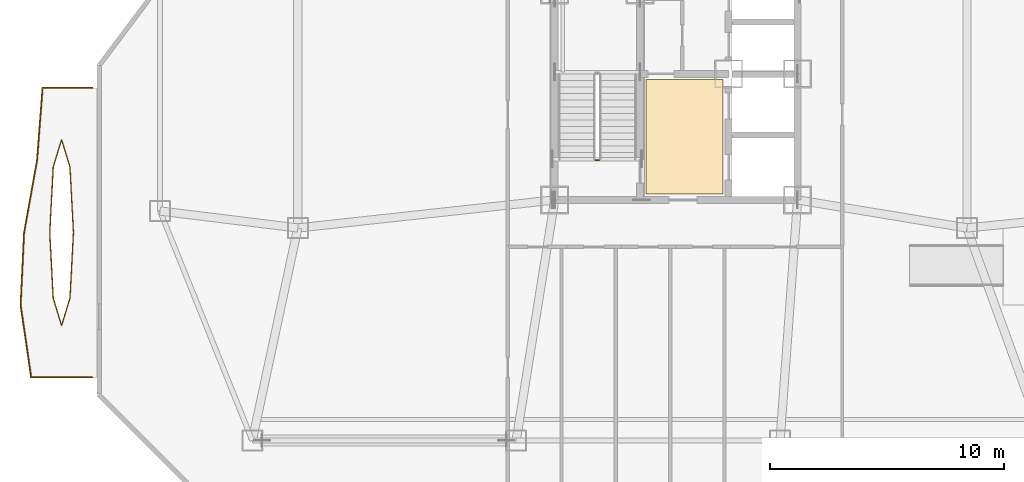
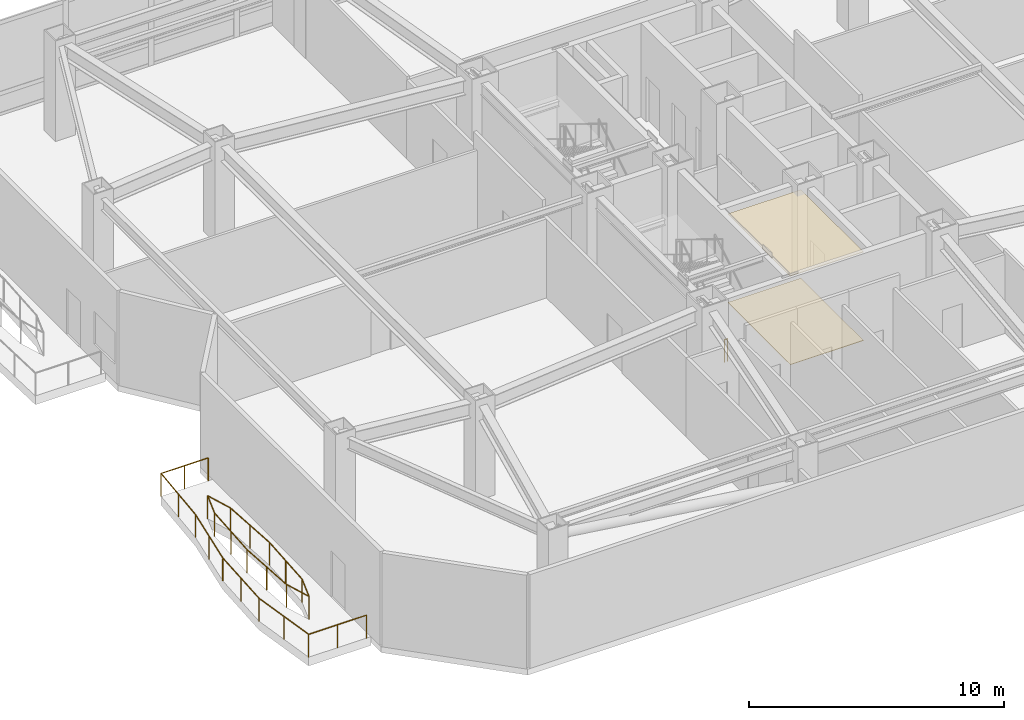
# One storey, part 13 of 16: 5 railings, 2 coverings.
"""IFC4 building model written with IfcOpenShell, lengths in metres."""

from ifc_helpers import new_model, si_unit, direction, frame, origin, origin_2d, place, context, subcontext, project, spatial, polyline, circle, outline, extrude, material, layer, layer_set, type_object, element, save


model = new_model("IFC4")

# Units and contexts
model_context = context("Model", 3, precision=1e-05, world=origin(), true_north=direction((0.0, 1.0)))
body_context = subcontext(model_context, "Body", "Model", "MODEL_VIEW")
ifc_project = project(units=[si_unit("LENGTHUNIT", "METRE"), si_unit("AREAUNIT", "SQUARE_METRE"), si_unit("VOLUMEUNIT", "CUBIC_METRE"), si_unit("PLANEANGLEUNIT", "RADIAN"), si_unit("MASSUNIT", "GRAM", prefix="KILO")], contexts=[model_context])

# Site, building, storey
site_placement = place(None, origin())
site = spatial("IfcSite", under=ifc_project, at=site_placement, CompositionType="ELEMENT")
building_placement = place(site_placement, origin())
building = spatial("IfcBuilding", under=site, at=building_placement, Name="Khamvora Tower", CompositionType="ELEMENT")
storey_placement = place(building_placement, frame((0.0, 0.0, 145.699951171875)))
storey = spatial("IfcBuildingStorey", under=building, at=storey_placement, Name="L37", CompositionType="ELEMENT", Elevation=145.699951171875)

# Coverings
ifc_material_1 = material(Name="Perforated Mineral-Fibre Acoustic Ceiling Tile", Category="gypsum")
ifc_layer_1 = layer(ifc_material_1, 0.02490234375)
ifc_layer_set_1 = layer_set([ifc_layer_1], Name="Perforated Mineral-Fibre Acoustic Ceiling Tile")
covering_type_1 = type_object("IfcCoveringType", Name="COV-CEIL-600", PredefinedType="CEILING", material=ifc_layer_set_1)
covering_1_placement = place(storey_placement, frame((0.0, 0.0, 4.22998046875)))
element("IfcCovering", 1, at=covering_1_placement, inside=storey, type_object=covering_type_1, Name="L37 core lobby suspended acoustic ceiling", PredefinedType="CEILING", context=body_context, shape_type="SweptSolid", body=[
    extrude(outline(polyline([(32.89990234375, 19.25), (36.199951171875, 19.25), (36.199951171875, 24.14990234375), (32.89990234375, 24.14990234375), (32.89990234375, 19.25)])), origin(), (0.0, 0.0, 1.0), 0.025146484375),
])
ifc_material_2 = material(Name="Honed Terrazzo Stone Tile", Category="masonry")
ifc_layer_2 = layer(ifc_material_2, 0.02001953125)
ifc_layer_set_2 = layer_set([ifc_layer_2], Name="Honed Terrazzo Stone Tile")
covering_type_2 = type_object("IfcCoveringType", Name="COV-FLOR-20", PredefinedType="FLOORING", material=ifc_layer_set_2)
covering_2_placement = place(storey_placement, origin())
element("IfcCovering", 2, at=covering_2_placement, inside=storey, type_object=covering_type_2, Name="L37 lift lobby terrazzo flooring", PredefinedType="FLOORING", context=body_context, shape_type="SweptSolid", body=[
    extrude(outline(polyline([(32.89990234375, 19.25), (36.199951171875, 19.25), (36.199951171875, 24.14990234375), (32.89990234375, 24.14990234375), (32.89990234375, 19.25)])), origin(), (0.0, 0.0, 1.0), 0.02001953125),
])

# Railings
ifc_material_3 = material(Name="Stainless Steel 316 and Laminated Glass", Category="steel")
railing_type_1 = type_object("IfcRailingType", Name="RAL-GAL-1120", PredefinedType="GUARDRAIL", material=ifc_material_3)
railing_1_placement = place(storey_placement, frame((9.199951171875, 11.39990234375, 0.0)))
element("IfcRailing", 3, at=railing_1_placement, inside=storey, type_object=railing_type_1, Name="L37 lens gallery south perimeter guardrail WL1", PredefinedType="GUARDRAIL", context=body_context, shape_type="SweptSolid", body=[
    extrude(circle(Radius=0.02392578125, at=origin_2d()), frame((0.0, 0.0, 1.09619140625), z_axis=(-1.0, 0.0, 0.0), x_axis=(0.0, -1.0, 0.0)), (0.0, 0.0, 1.0), 2.619873046875),
    extrude(circle(Radius=0.02392578125, at=origin_2d()), frame((-2.619873046875, 0.0, 1.09619140625), z_axis=(-0.144322789982, 0.989530662633, 0.0), x_axis=(-0.989530662633, -0.144322789982, 0.0)), (0.0, 0.0, 1.0), 3.1328125),
    extrude(circle(Radius=0.02392578125, at=origin_2d()), frame((-3.072021484375, 3.10009765625, 1.09619140625), z_axis=(0.0476697959, 0.998863149064, 0.0), x_axis=(-0.998863149064, 0.0476697959, 0.0)), (0.0, 0.0, 1.0), 3.103515625),
    extrude(circle(Radius=0.02099609375, at=origin_2d()), origin(), (0.0, 0.0, 1.0), 1.072021484375),
    extrude(circle(Radius=0.02099609375, at=origin_2d()), frame((-1.31005859375, 0.0, 0.0)), (0.0, 0.0, 1.0), 1.072021484375),
    extrude(circle(Radius=0.02099609375, at=origin_2d()), frame((-2.619873046875, 0.0, 0.0)), (0.0, 0.0, 1.0), 1.072021484375),
    extrude(circle(Radius=0.02099609375, at=origin_2d()), frame((-2.845947265625, 1.550048828125, 0.0)), (0.0, 0.0, 1.0), 1.072021484375),
    extrude(circle(Radius=0.02099609375, at=origin_2d()), frame((-3.072021484375, 3.10009765625, 0.0)), (0.0, 0.0, 1.0), 1.072021484375),
    extrude(circle(Radius=0.02099609375, at=origin_2d()), frame((-2.998046875, 4.650146484375, 0.0)), (0.0, 0.0, 1.0), 1.072021484375),
    extrude(circle(Radius=0.02099609375, at=origin_2d()), frame((-2.924072265625, 6.2001953125, 0.0)), (0.0, 0.0, 1.0), 1.072021484375),
])
railing_2_placement = place(storey_placement, frame((6.27587890625, 17.60009765625, 0.0)))
element("IfcRailing", 4, at=railing_2_placement, inside=storey, type_object=railing_type_1, Name="L37 lens gallery north perimeter guardrail WL1", PredefinedType="GUARDRAIL", context=body_context, shape_type="SweptSolid", body=[
    extrude(circle(Radius=0.02392578125, at=origin_2d()), frame((0.0, 0.0, 1.09619140625), z_axis=(0.176592812148, 0.984283992909, 0.0), x_axis=(-0.984283992909, 0.176592812148, 0.0)), (0.0, 0.0, 1.0), 3.1494140625),
    extrude(circle(Radius=0.02392578125, at=origin_2d()), frame((0.55615234375, 3.099853515625, 1.09619140625), z_axis=(0.075933858286, 0.997112856785, 0.0), x_axis=(-0.997112856785, 0.075933858286, 0.0)), (0.0, 0.0, 1.0), 3.109130859375),
    extrude(circle(Radius=0.02392578125, at=origin_2d()), frame((0.792236328125, 6.199951171875, 1.09619140625), z_axis=(1.0, 0.0, 0.0), x_axis=(0.0, 1.0, 0.0)), (0.0, 0.0, 1.0), 2.1318359375),
    extrude(circle(Radius=0.02099609375, at=origin_2d()), origin(), (0.0, 0.0, 1.0), 1.072021484375),
    extrude(circle(Radius=0.02099609375, at=origin_2d()), frame((0.278076171875, 1.5498046875, 0.0)), (0.0, 0.0, 1.0), 1.072021484375),
    extrude(circle(Radius=0.02099609375, at=origin_2d()), frame((0.55615234375, 3.099853515625, 0.0)), (0.0, 0.0, 1.0), 1.072021484375),
    extrude(circle(Radius=0.02099609375, at=origin_2d()), frame((0.67431640625, 4.64990234375, 0.0)), (0.0, 0.0, 1.0), 1.072021484375),
    extrude(circle(Radius=0.02099609375, at=origin_2d()), frame((0.792236328125, 6.199951171875, 0.0)), (0.0, 0.0, 1.0), 1.072021484375),
    extrude(circle(Radius=0.02099609375, at=origin_2d()), frame((1.858154296875, 6.199951171875, 0.0)), (0.0, 0.0, 1.0), 1.072021484375),
    extrude(circle(Radius=0.02099609375, at=origin_2d()), frame((2.924072265625, 6.199951171875, 0.0)), (0.0, 0.0, 1.0), 1.072021484375),
])
railing_3_placement = place(storey_placement, frame((8.388916015625, 17.60009765625, 0.0)))
element("IfcRailing", 5, at=railing_3_placement, inside=storey, type_object=railing_type_1, Name="L37 lens gallery void guardrail WL1A", PredefinedType="GUARDRAIL", context=body_context, shape_type="SweptSolid", body=[
    extrude(circle(Radius=0.02392578125, at=origin_2d()), frame((0.0, 0.0, 1.09619140625), z_axis=(-0.052654602562, 0.998612784231, 0.0), x_axis=(-0.998612784231, -0.052654602562, 0.0)), (0.0, 0.0, 1.0), 2.809814453125),
    extrude(circle(Radius=0.02392578125, at=origin_2d()), frame((-0.14794921875, 2.805908203125, 1.09619140625), z_axis=(-0.292871691974, 0.956151751575, 0.0), x_axis=(-0.956151751575, -0.292871691974, 0.0)), (0.0, 0.0, 1.0), 1.21533203125),
    extrude(circle(Radius=0.02392578125, at=origin_2d()), frame((-0.50390625, 3.968017578125, 1.09619140625), z_axis=(-0.292871691974, -0.956151751575, 0.0), x_axis=(0.956151751575, -0.292871691974, 0.0)), (0.0, 0.0, 1.0), 1.21533203125),
    extrude(circle(Radius=0.02392578125, at=origin_2d()), frame((-0.85986328125, 2.805908203125, 1.09619140625), z_axis=(-0.052654602562, -0.998612784231, 0.0), x_axis=(0.998612784231, -0.052654602562, 0.0)), (0.0, 0.0, 1.0), 2.809814453125),
    extrude(circle(Radius=0.02099609375, at=origin_2d()), origin(), (0.0, 0.0, 1.0), 1.072021484375),
    extrude(circle(Radius=0.02099609375, at=origin_2d()), frame((-0.073974609375, 1.40283203125, 0.0)), (0.0, 0.0, 1.0), 1.072021484375),
    extrude(circle(Radius=0.02099609375, at=origin_2d()), frame((-0.14794921875, 2.805908203125, 0.0)), (0.0, 0.0, 1.0), 1.072021484375),
    extrude(circle(Radius=0.02099609375, at=origin_2d()), frame((-0.50390625, 3.968017578125, 0.0)), (0.0, 0.0, 1.0), 1.072021484375),
    extrude(circle(Radius=0.02099609375, at=origin_2d()), frame((-0.85986328125, 2.805908203125, 0.0)), (0.0, 0.0, 1.0), 1.072021484375),
    extrude(circle(Radius=0.02099609375, at=origin_2d()), frame((-0.933837890625, 1.40283203125, 0.0)), (0.0, 0.0, 1.0), 1.072021484375),
    extrude(circle(Radius=0.02099609375, at=origin_2d()), frame((-1.0078125, 0.0, 0.0)), (0.0, 0.0, 1.0), 1.072021484375),
])
railing_4_placement = place(storey_placement, frame((7.381103515625, 17.60009765625, 0.0)))
element("IfcRailing", 6, at=railing_4_placement, inside=storey, type_object=railing_type_1, Name="L37 lens gallery void guardrail WL1B", PredefinedType="GUARDRAIL", context=body_context, shape_type="SweptSolid", body=[
    extrude(circle(Radius=0.02392578125, at=origin_2d()), frame((0.0, 0.0, 1.09619140625), z_axis=(0.05265003421, -0.998613025099, 0.0), x_axis=(0.998613025099, 0.05265003421, 0.0)), (0.0, 0.0, 1.0), 2.81005859375),
    extrude(circle(Radius=0.02392578125, at=origin_2d()), frame((0.14794921875, -2.80615234375, 1.09619140625), z_axis=(0.292927952476, -0.956134517031, 0.0), x_axis=(0.956134517031, 0.292927952476, 0.0)), (0.0, 0.0, 1.0), 1.215087890625),
    extrude(circle(Radius=0.02392578125, at=origin_2d()), frame((0.50390625, -3.968017578125, 1.09619140625), z_axis=(0.292927952476, 0.956134517031, 0.0), x_axis=(-0.956134517031, 0.292927952476, 0.0)), (0.0, 0.0, 1.0), 1.215087890625),
    extrude(circle(Radius=0.02392578125, at=origin_2d()), frame((0.85986328125, -2.80615234375, 1.09619140625), z_axis=(0.05265003421, 0.998613025099, 0.0), x_axis=(-0.998613025099, 0.05265003421, 0.0)), (0.0, 0.0, 1.0), 2.81005859375),
    extrude(circle(Radius=0.02099609375, at=origin_2d()), origin(), (0.0, 0.0, 1.0), 1.072021484375),
    extrude(circle(Radius=0.02099609375, at=origin_2d()), frame((0.073974609375, -1.403076171875, 0.0)), (0.0, 0.0, 1.0), 1.072021484375),
    extrude(circle(Radius=0.02099609375, at=origin_2d()), frame((0.14794921875, -2.80615234375, 0.0)), (0.0, 0.0, 1.0), 1.072021484375),
    extrude(circle(Radius=0.02099609375, at=origin_2d()), frame((0.50390625, -3.968017578125, 0.0)), (0.0, 0.0, 1.0), 1.072021484375),
    extrude(circle(Radius=0.02099609375, at=origin_2d()), frame((0.85986328125, -2.80615234375, 0.0)), (0.0, 0.0, 1.0), 1.072021484375),
    extrude(circle(Radius=0.02099609375, at=origin_2d()), frame((0.933837890625, -1.403076171875, 0.0)), (0.0, 0.0, 1.0), 1.072021484375),
    extrude(circle(Radius=0.02099609375, at=origin_2d()), frame((1.0078125, 0.0, 0.0)), (0.0, 0.0, 1.0), 1.072021484375),
])
ifc_material_4 = material(Name="Stainless Steel 316", Category="steel")
railing_type_2 = type_object("IfcRailingType", Name="RAL-STG-1100", PredefinedType="GUARDRAIL", material=ifc_material_4)
railing_5_placement = place(storey_placement, frame((30.89990234375, 20.699951171875, 0.0)))
element("IfcRailing", 7, at=railing_5_placement, inside=storey, type_object=railing_type_2, Name="L37 ST-01 stair guard 4", PredefinedType="GUARDRAIL", context=body_context, shape_type="SweptSolid", body=[
    extrude(circle(Radius=0.02392578125, at=origin_2d()), frame((0.0, 0.0, 1.076171875), z_axis=(-1.0, 0.0, 0.0), x_axis=(0.0, -1.0, 0.0)), (0.0, 0.0, 1.0), 0.14990234375),
    extrude(circle(Radius=0.02099609375, at=origin_2d()), origin(), (0.0, 0.0, 1.0), 1.052001953125),
    extrude(circle(Radius=0.02099609375, at=origin_2d()), frame((-0.14990234375, 0.0, 0.0)), (0.0, 0.0, 1.0), 1.052001953125),
])

save(model, "model.ifc")
